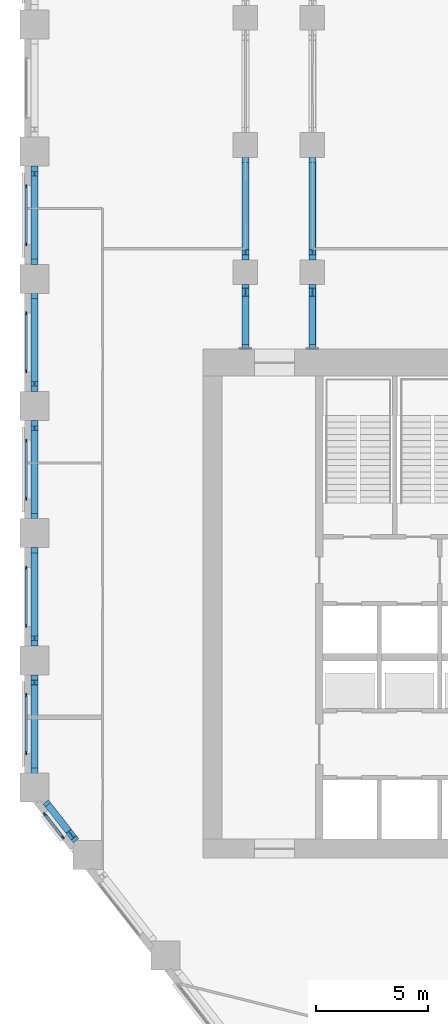
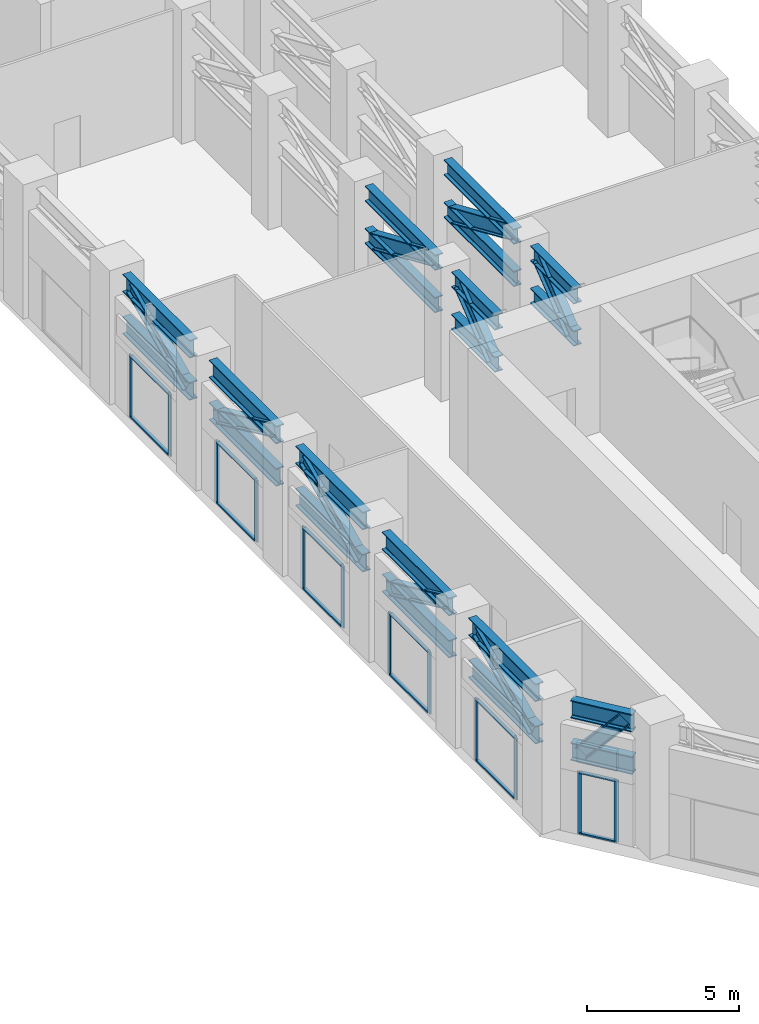
# One storey, part 6 of 21: 34 members, 20 beams, 6 elements without a shape of their own.
"""IFC4 building model written with IfcOpenShell, lengths in metres."""

from ifc_helpers import new_model, si_unit, direction, frame, origin, origin_2d, place, context, subcontext, project, spatial, rectangle, i_section, extrude, material, material_profile, profile_set, type_object, element, aggregate, save


model = new_model("IFC4")

# Units and contexts
model_context = context("Model", 3, precision=1e-05, world=origin(), true_north=direction((0.0, 1.0)))
body_context = subcontext(model_context, "Body", "Model", "MODEL_VIEW")
ifc_project = project(units=[si_unit("LENGTHUNIT", "METRE"), si_unit("AREAUNIT", "SQUARE_METRE"), si_unit("VOLUMEUNIT", "CUBIC_METRE"), si_unit("PLANEANGLEUNIT", "RADIAN"), si_unit("MASSUNIT", "GRAM", prefix="KILO")], contexts=[model_context])

# Site, building, storey
site_placement = place(None, origin())
site = spatial("IfcSite", under=ifc_project, at=site_placement, CompositionType="ELEMENT")
building_placement = place(site_placement, origin())
building = spatial("IfcBuilding", under=site, at=building_placement, Name="Meshkara Civic Tower", CompositionType="ELEMENT")
storey_placement = place(building_placement, frame((0.0, 0.0, 156.0)))
storey = spatial("IfcBuildingStorey", under=building, at=storey_placement, Name="L35", CompositionType="ELEMENT", Elevation=156.0)

# Beams
ifc_material_1 = material(Name="Steel S355", Category="steel")
ifc_material_profile_1 = material_profile(ifc_material_1, i_section(OverallWidth=0.303955078125, OverallDepth=0.716064453125, WebThickness=0.02099609375, FlangeThickness=0.0400390625, FilletRadius=0.027099609375, at=origin_2d()))
ifc_profile_set_1 = profile_set([ifc_material_profile_1], Name="Steel S355")
beam_type_1 = type_object("IfcBeamType", Name="Belt truss chord HEM 700 S355", PredefinedType="BEAM", material=ifc_profile_set_1)
for number, where, z_axis, x_axis, name in (
    (1, (0.449951171875, 45.110107421875, 4.741943359375), (0.0, -1.0, 0.0), (1.0, 0.0, 0.0), "Belt truss chord BAW05-AW04"),
    (2, (0.449951171875, 45.110107421875, 3.0419921875), (0.0, -1.0, 0.0), (1.0, 0.0, 0.0), "Belt truss chord BAW05-AW04"),
):
    element("IfcBeam", number, at=place(storey_placement, frame(where, z_axis=z_axis, x_axis=x_axis)), inside=storey, type_object=beam_type_1, Name=name, PredefinedType="BEAM", context=body_context, shape_type="SweptSolid", body=[
        extrude(i_section(OverallWidth=0.303955078125, OverallDepth=0.716064453125, WebThickness=0.02099609375, FlangeThickness=0.0400390625, FilletRadius=0.027099609375, at=origin_2d()), origin(), (0.0, 0.0, 1.0), 4.41015625),
    ])
for number, where, z_axis, x_axis, name in (
    (3, (0.449951171875, 39.409912109375, 4.741943359375), (0.0, -1.0, 0.0), (1.0, 0.0, 0.0), "Belt truss chord BAW04-AW03"),
    (4, (0.449951171875, 39.409912109375, 3.0419921875), (0.0, -1.0, 0.0), (1.0, 0.0, 0.0), "Belt truss chord BAW04-AW03"),
    (5, (0.449951171875, 33.7099609375, 4.741943359375), (0.0, -1.0, 0.0), (1.0, 0.0, 0.0), "Belt truss chord BAW03-AW02"),
    (6, (0.449951171875, 33.7099609375, 3.0419921875), (0.0, -1.0, 0.0), (1.0, 0.0, 0.0), "Belt truss chord BAW03-AW02"),
    (7, (0.449951171875, 28.010009765625, 4.741943359375), (0.0, -1.0, 0.0), (1.0, 0.0, 0.0), "Belt truss chord BAW02-AW01"),
    (8, (0.449951171875, 28.010009765625, 3.0419921875), (0.0, -1.0, 0.0), (1.0, 0.0, 0.0), "Belt truss chord BAW02-AW01"),
):
    element("IfcBeam", number, at=place(storey_placement, frame(where, z_axis=z_axis, x_axis=x_axis)), inside=storey, type_object=beam_type_1, Name=name, PredefinedType="BEAM", context=body_context, shape_type="SweptSolid", body=[
        extrude(i_section(OverallWidth=0.303955078125, OverallDepth=0.716064453125, WebThickness=0.02099609375, FlangeThickness=0.0400390625, FilletRadius=0.027099609375, at=origin_2d()), origin(), (0.0, 0.0, 1.0), 4.409912109375),
    ])
for number, where, z_axis, x_axis, name in (
    (9, (0.449951171875, 22.31005859375, 4.741943359375), (0.0, -1.0, 0.0), (1.0, 0.0, 0.0), "Belt truss chord BAW01-AW00"),
    (10, (0.449951171875, 22.31005859375, 3.0419921875), (0.0, -1.0, 0.0), (1.0, 0.0, 0.0), "Belt truss chord BAW01-AW00"),
):
    element("IfcBeam", number, at=place(storey_placement, frame(where, z_axis=z_axis, x_axis=x_axis)), inside=storey, type_object=beam_type_1, Name=name, PredefinedType="BEAM", context=body_context, shape_type="SweptSolid", body=[
        extrude(i_section(OverallWidth=0.303955078125, OverallDepth=0.716064453125, WebThickness=0.02099609375, FlangeThickness=0.0400390625, FilletRadius=0.027099609375, at=origin_2d()), origin(), (0.0, 0.0, 1.0), 4.41015625),
    ])
for number, where, z_axis, x_axis, name in (
    (11, (0.95458984375, 16.60888671875, 4.741943359375), (0.61568279769, -0.787994094286, 0.0), (0.787994094286, 0.61568279769, 0.0), "Belt truss chord BAW00-BOW04"),
    (12, (0.95458984375, 16.60888671875, 3.0419921875), (0.61568279769, -0.787994094286, 0.0), (0.787994094286, 0.61568279769, 0.0), "Belt truss chord BAW00-BOW04"),
):
    element("IfcBeam", number, at=place(storey_placement, frame(where, z_axis=z_axis, x_axis=x_axis)), inside=storey, type_object=beam_type_1, Name=name, PredefinedType="BEAM", context=body_context, shape_type="SweptSolid", body=[
        extrude(i_section(OverallWidth=0.303955078125, OverallDepth=0.716064453125, WebThickness=0.02099609375, FlangeThickness=0.0400390625, FilletRadius=0.027099609375, at=origin_2d()), origin(), (0.0, 0.0, 1.0), 2.200439453125),
    ])

# Curtain wall, members
ifc_material_2 = material(Name="Tinted double glazing", Category="glass")
curtain_wall_type = type_object("IfcCurtainWallType", Name="CW SKY LOBBY BAND", PredefinedType="NOTDEFINED", material=ifc_material_2)
curtain_wall_1_placement = place(storey_placement, origin())
curtain_wall_1 = element("IfcCurtainWall", 13, at=curtain_wall_1_placement, inside=storey, type_object=curtain_wall_type, Name="Curtain wall CW2", PredefinedType="NOTDEFINED")
ifc_material_3 = material(Name="Bronze anodised aluminium", Category="aluminium")
ifc_material_profile_2 = material_profile(ifc_material_3, rectangle(XDim=0.06005859375, YDim=0.159912109375, at=origin_2d()))
ifc_profile_set_2 = profile_set([ifc_material_profile_2], Name="Bronze anodised aluminium")
member_type_1 = type_object("IfcMemberType", Name="CW MULLION 60x160", PredefinedType="MULLION", material=ifc_profile_set_2)
member_1_placement = place(storey_placement, frame((0.080078125, 44.195068359375, 0.0), z_axis=(0.0, 0.0, 1.0), x_axis=(1.0, 0.0, 0.0)))
member_1 = element("IfcMember", 14, at=member_1_placement, type_object=member_type_1, Name="CW2 mullion 1", PredefinedType="MULLION", context=body_context, shape_type="SweptSolid", body=[
    extrude(rectangle(XDim=0.06005859375, YDim=0.159912109375, at=origin_2d()), origin(), (0.0, 0.0, 1.0), 2.5),
])
member_2_placement = place(storey_placement, frame((0.080078125, 41.614990234375, 0.0), z_axis=(0.0, 0.0, 1.0), x_axis=(1.0, 0.0, 0.0)))
member_2 = element("IfcMember", 15, at=member_2_placement, type_object=member_type_1, Name="CW2 mullion 2", PredefinedType="MULLION", context=body_context, shape_type="SweptSolid", body=[
    extrude(rectangle(XDim=0.06005859375, YDim=0.159912109375, at=origin_2d()), origin(), (0.0, 0.0, 1.0), 2.5),
])

curtain_wall_2_placement = place(storey_placement, origin())
curtain_wall_2 = element("IfcCurtainWall", 16, at=curtain_wall_2_placement, inside=storey, type_object=curtain_wall_type, Name="Curtain wall CW2", PredefinedType="NOTDEFINED")
member_3_placement = place(storey_placement, frame((0.080078125, 38.4951171875, 0.0), z_axis=(0.0, 0.0, 1.0), x_axis=(1.0, 0.0, 0.0)))
member_3 = element("IfcMember", 17, at=member_3_placement, type_object=member_type_1, Name="CW2 mullion 1", PredefinedType="MULLION", context=body_context, shape_type="SweptSolid", body=[
    extrude(rectangle(XDim=0.06005859375, YDim=0.159912109375, at=origin_2d()), origin(), (0.0, 0.0, 1.0), 2.5),
])
member_4_placement = place(storey_placement, frame((0.080078125, 35.916015625, 0.0), z_axis=(0.0, 0.0, 1.0), x_axis=(1.0, 0.0, 0.0)))
member_4 = element("IfcMember", 18, at=member_4_placement, type_object=member_type_1, Name="CW2 mullion 2", PredefinedType="MULLION", context=body_context, shape_type="SweptSolid", body=[
    extrude(rectangle(XDim=0.06005859375, YDim=0.159912109375, at=origin_2d()), origin(), (0.0, 0.0, 1.0), 2.5),
])

curtain_wall_3_placement = place(storey_placement, origin())
curtain_wall_3 = element("IfcCurtainWall", 19, at=curtain_wall_3_placement, inside=storey, type_object=curtain_wall_type, Name="Curtain wall CW2", PredefinedType="NOTDEFINED")
member_5_placement = place(storey_placement, frame((0.080078125, 32.7939453125, 0.0), z_axis=(0.0, 0.0, 1.0), x_axis=(1.0, 0.0, 0.0)))
member_5 = element("IfcMember", 20, at=member_5_placement, type_object=member_type_1, Name="CW2 mullion 1", PredefinedType="MULLION", context=body_context, shape_type="SweptSolid", body=[
    extrude(rectangle(XDim=0.06005859375, YDim=0.159912109375, at=origin_2d()), origin(), (0.0, 0.0, 1.0), 2.5),
])
member_6_placement = place(storey_placement, frame((0.080078125, 30.216064453125, 0.0), z_axis=(0.0, 0.0, 1.0), x_axis=(1.0, 0.0, 0.0)))
member_6 = element("IfcMember", 21, at=member_6_placement, type_object=member_type_1, Name="CW2 mullion 2", PredefinedType="MULLION", context=body_context, shape_type="SweptSolid", body=[
    extrude(rectangle(XDim=0.06005859375, YDim=0.159912109375, at=origin_2d()), origin(), (0.0, 0.0, 1.0), 2.5),
])

curtain_wall_4_placement = place(storey_placement, origin())
curtain_wall_4 = element("IfcCurtainWall", 22, at=curtain_wall_4_placement, inside=storey, type_object=curtain_wall_type, Name="Curtain wall CW2", PredefinedType="NOTDEFINED")
member_7_placement = place(storey_placement, frame((0.080078125, 27.093994140625, 0.0), z_axis=(0.0, 0.0, 1.0), x_axis=(1.0, 0.0, 0.0)))
member_7 = element("IfcMember", 23, at=member_7_placement, type_object=member_type_1, Name="CW2 mullion 1", PredefinedType="MULLION", context=body_context, shape_type="SweptSolid", body=[
    extrude(rectangle(XDim=0.06005859375, YDim=0.159912109375, at=origin_2d()), origin(), (0.0, 0.0, 1.0), 2.5),
])
member_8_placement = place(storey_placement, frame((0.080078125, 24.51611328125, 0.0), z_axis=(0.0, 0.0, 1.0), x_axis=(1.0, 0.0, 0.0)))
member_8 = element("IfcMember", 24, at=member_8_placement, type_object=member_type_1, Name="CW2 mullion 2", PredefinedType="MULLION", context=body_context, shape_type="SweptSolid", body=[
    extrude(rectangle(XDim=0.06005859375, YDim=0.159912109375, at=origin_2d()), origin(), (0.0, 0.0, 1.0), 2.5),
])

curtain_wall_5_placement = place(storey_placement, origin())
curtain_wall_5 = element("IfcCurtainWall", 25, at=curtain_wall_5_placement, inside=storey, type_object=curtain_wall_type, Name="Curtain wall CW2", PredefinedType="NOTDEFINED")
member_9_placement = place(storey_placement, frame((0.080078125, 21.39404296875, 0.0), z_axis=(0.0, 0.0, 1.0), x_axis=(1.0, 0.0, 0.0)))
member_9 = element("IfcMember", 26, at=member_9_placement, type_object=member_type_1, Name="CW2 mullion 1", PredefinedType="MULLION", context=body_context, shape_type="SweptSolid", body=[
    extrude(rectangle(XDim=0.06005859375, YDim=0.159912109375, at=origin_2d()), origin(), (0.0, 0.0, 1.0), 2.5),
])
member_10_placement = place(storey_placement, frame((0.080078125, 18.81494140625, 0.0), z_axis=(0.0, 0.0, 1.0), x_axis=(1.0, 0.0, 0.0)))
member_10 = element("IfcMember", 27, at=member_10_placement, type_object=member_type_1, Name="CW2 mullion 2", PredefinedType="MULLION", context=body_context, shape_type="SweptSolid", body=[
    extrude(rectangle(XDim=0.06005859375, YDim=0.159912109375, at=origin_2d()), origin(), (0.0, 0.0, 1.0), 2.5),
])

curtain_wall_6_placement = place(storey_placement, origin())
curtain_wall_6 = element("IfcCurtainWall", 28, at=curtain_wall_6_placement, inside=storey, type_object=curtain_wall_type, Name="Curtain wall CW2", PredefinedType="NOTDEFINED")
member_11_placement = place(storey_placement, frame((0.910400390625, 16.0654296875, 0.0), z_axis=(0.0, 0.0, 1.0), x_axis=(0.7882556183, 0.615347934276, 0.0)))
member_11 = element("IfcMember", 29, at=member_11_placement, type_object=member_type_1, Name="CW2 mullion 1", PredefinedType="MULLION", context=body_context, shape_type="SweptSolid", body=[
    extrude(rectangle(XDim=0.06005859375, YDim=0.159912109375, at=origin_2d()), origin(), (0.0, 0.0, 1.0), 2.5),
])
member_12_placement = place(storey_placement, frame((1.720458984375, 15.027587890625, 0.0), z_axis=(0.0, 0.0, 1.0), x_axis=(0.7882556183, 0.615347934276, 0.0)))
member_12 = element("IfcMember", 30, at=member_12_placement, type_object=member_type_1, Name="CW2 mullion 2", PredefinedType="MULLION", context=body_context, shape_type="SweptSolid", body=[
    extrude(rectangle(XDim=0.06005859375, YDim=0.159912109375, at=origin_2d()), origin(), (0.0, 0.0, 1.0), 2.5),
])

# Member
ifc_material_4 = material(Name="Bronze anodised aluminium", Category="aluminium")
ifc_material_profile_3 = material_profile(ifc_material_4, rectangle(XDim=0.1201171875, YDim=0.06005859375, at=origin_2d()))
ifc_profile_set_3 = profile_set([ifc_material_profile_3], Name="Bronze anodised aluminium")
member_type_2 = type_object("IfcMemberType", Name="CW TRANSOM 60x120", PredefinedType="USERDEFINED", material=ifc_profile_set_3)
member_13_placement = place(storey_placement, frame((0.080078125, 44.1650390625, 0.030029296875), z_axis=(0.0, -1.0, 0.0), x_axis=(1.0, 0.0, 0.0)))
member_13 = element("IfcMember", 31, at=member_13_placement, type_object=member_type_2, Name="CW2 transom 1.1", ObjectType="TRANSOM", PredefinedType="USERDEFINED", context=body_context, shape_type="SweptSolid", body=[
    extrude(rectangle(XDim=0.1201171875, YDim=0.06005859375, at=origin_2d()), origin(), (0.0, 0.0, 1.0), 2.52001953125),
])

member_14_placement = place(storey_placement, frame((0.080078125, 44.1650390625, 2.469970703125), z_axis=(0.0, -1.0, 0.0), x_axis=(1.0, 0.0, 0.0)))
member_14 = element("IfcMember", 32, at=member_14_placement, type_object=member_type_2, Name="CW2 transom 1.2", ObjectType="TRANSOM", PredefinedType="USERDEFINED", context=body_context, shape_type="SweptSolid", body=[
    extrude(rectangle(XDim=0.1201171875, YDim=0.06005859375, at=origin_2d()), origin(), (0.0, 0.0, 1.0), 2.52001953125),
])

aggregate(curtain_wall_1, [member_1, member_2, member_13, member_14])

member_15_placement = place(storey_placement, frame((0.080078125, 38.465087890625, 0.030029296875), z_axis=(0.0, -1.0, 0.0), x_axis=(1.0, 0.0, 0.0)))
member_15 = element("IfcMember", 33, at=member_15_placement, type_object=member_type_2, Name="CW2 transom 1.1", ObjectType="TRANSOM", PredefinedType="USERDEFINED", context=body_context, shape_type="SweptSolid", body=[
    extrude(rectangle(XDim=0.1201171875, YDim=0.06005859375, at=origin_2d()), origin(), (0.0, 0.0, 1.0), 2.51904296875),
])

member_16_placement = place(storey_placement, frame((0.080078125, 38.465087890625, 2.469970703125), z_axis=(0.0, -1.0, 0.0), x_axis=(1.0, 0.0, 0.0)))
member_16 = element("IfcMember", 34, at=member_16_placement, type_object=member_type_2, Name="CW2 transom 1.2", ObjectType="TRANSOM", PredefinedType="USERDEFINED", context=body_context, shape_type="SweptSolid", body=[
    extrude(rectangle(XDim=0.1201171875, YDim=0.06005859375, at=origin_2d()), origin(), (0.0, 0.0, 1.0), 2.51904296875),
])

aggregate(curtain_wall_2, [member_3, member_4, member_15, member_16])

member_17_placement = place(storey_placement, frame((0.080078125, 32.763916015625, 0.030029296875), z_axis=(0.0, -1.0, 0.0), x_axis=(1.0, 0.0, 0.0)))
member_17 = element("IfcMember", 35, at=member_17_placement, type_object=member_type_2, Name="CW2 transom 1.1", ObjectType="TRANSOM", PredefinedType="USERDEFINED", context=body_context, shape_type="SweptSolid", body=[
    extrude(rectangle(XDim=0.1201171875, YDim=0.06005859375, at=origin_2d()), origin(), (0.0, 0.0, 1.0), 2.517822265625),
])

member_18_placement = place(storey_placement, frame((0.080078125, 32.763916015625, 2.469970703125), z_axis=(0.0, -1.0, 0.0), x_axis=(1.0, 0.0, 0.0)))
member_18 = element("IfcMember", 36, at=member_18_placement, type_object=member_type_2, Name="CW2 transom 1.2", ObjectType="TRANSOM", PredefinedType="USERDEFINED", context=body_context, shape_type="SweptSolid", body=[
    extrude(rectangle(XDim=0.1201171875, YDim=0.06005859375, at=origin_2d()), origin(), (0.0, 0.0, 1.0), 2.517822265625),
])

aggregate(curtain_wall_3, [member_5, member_6, member_17, member_18])

member_19_placement = place(storey_placement, frame((0.080078125, 27.06396484375, 0.030029296875), z_axis=(0.0, -1.0, 0.0), x_axis=(1.0, 0.0, 0.0)))
member_19 = element("IfcMember", 37, at=member_19_placement, type_object=member_type_2, Name="CW2 transom 1.1", ObjectType="TRANSOM", PredefinedType="USERDEFINED", context=body_context, shape_type="SweptSolid", body=[
    extrude(rectangle(XDim=0.1201171875, YDim=0.06005859375, at=origin_2d()), origin(), (0.0, 0.0, 1.0), 2.51806640625),
])

member_20_placement = place(storey_placement, frame((0.080078125, 27.06396484375, 2.469970703125), z_axis=(0.0, -1.0, 0.0), x_axis=(1.0, 0.0, 0.0)))
member_20 = element("IfcMember", 38, at=member_20_placement, type_object=member_type_2, Name="CW2 transom 1.2", ObjectType="TRANSOM", PredefinedType="USERDEFINED", context=body_context, shape_type="SweptSolid", body=[
    extrude(rectangle(XDim=0.1201171875, YDim=0.06005859375, at=origin_2d()), origin(), (0.0, 0.0, 1.0), 2.51806640625),
])

aggregate(curtain_wall_4, [member_7, member_8, member_19, member_20])

member_21_placement = place(storey_placement, frame((0.080078125, 21.364013671875, 0.030029296875), z_axis=(0.0, -1.0, 0.0), x_axis=(1.0, 0.0, 0.0)))
member_21 = element("IfcMember", 39, at=member_21_placement, type_object=member_type_2, Name="CW2 transom 1.1", ObjectType="TRANSOM", PredefinedType="USERDEFINED", context=body_context, shape_type="SweptSolid", body=[
    extrude(rectangle(XDim=0.1201171875, YDim=0.06005859375, at=origin_2d()), origin(), (0.0, 0.0, 1.0), 2.51904296875),
])

member_22_placement = place(storey_placement, frame((0.080078125, 21.364013671875, 2.469970703125), z_axis=(0.0, -1.0, 0.0), x_axis=(1.0, 0.0, 0.0)))
member_22 = element("IfcMember", 40, at=member_22_placement, type_object=member_type_2, Name="CW2 transom 1.2", ObjectType="TRANSOM", PredefinedType="USERDEFINED", context=body_context, shape_type="SweptSolid", body=[
    extrude(rectangle(XDim=0.1201171875, YDim=0.06005859375, at=origin_2d()), origin(), (0.0, 0.0, 1.0), 2.51904296875),
])

aggregate(curtain_wall_5, [member_9, member_10, member_21, member_22])

member_23_placement = place(storey_placement, frame((0.928955078125, 16.041748046875, 0.030029296875), z_axis=(0.615338587722, -0.788262914553, 0.0), x_axis=(0.788262914553, 0.615338587722, 0.0)))
member_23 = element("IfcMember", 41, at=member_23_placement, type_object=member_type_2, Name="CW2 transom 1.1", ObjectType="TRANSOM", PredefinedType="USERDEFINED", context=body_context, shape_type="SweptSolid", body=[
    extrude(rectangle(XDim=0.1201171875, YDim=0.06005859375, at=origin_2d()), origin(), (0.0, 0.0, 1.0), 1.256591796875),
])

member_24_placement = place(storey_placement, frame((0.928955078125, 16.041748046875, 2.469970703125), z_axis=(0.615338587722, -0.788262914553, 0.0), x_axis=(0.788262914553, 0.615338587722, 0.0)))
member_24 = element("IfcMember", 42, at=member_24_placement, type_object=member_type_2, Name="CW2 transom 1.2", ObjectType="TRANSOM", PredefinedType="USERDEFINED", context=body_context, shape_type="SweptSolid", body=[
    extrude(rectangle(XDim=0.1201171875, YDim=0.06005859375, at=origin_2d()), origin(), (0.0, 0.0, 1.0), 1.256591796875),
])

aggregate(curtain_wall_6, [member_11, member_12, member_23, member_24])

# Beams
ifc_material_5 = material(Name="Steel S355", Category="steel")
ifc_material_profile_4 = material_profile(ifc_material_5, i_section(OverallWidth=0.304931640625, OverallDepth=0.6201171875, WebThickness=0.02099609375, FlangeThickness=0.0400390625, FilletRadius=0.027099609375, at=origin_2d()))
ifc_profile_set_4 = profile_set([ifc_material_profile_4], Name="Steel S355")
beam_type_2 = type_object("IfcBeamType", Name="Outrigger chord HEM 600 S355", PredefinedType="BEAM", material=ifc_profile_set_4)
for number, where, z_axis, x_axis, name in (
    (43, (9.89990234375, 36.93994140625, 4.7900390625), (0.0, 1.0, 0.0), (-1.0, 0.0, 0.0), "Outrigger chord OSA1-CORE-SA1-04"),
    (44, (9.89990234375, 36.93994140625, 3.090087890625), (0.0, 1.0, 0.0), (-1.0, 0.0, 0.0), "Outrigger chord OSA1-CORE-SA1-04"),
):
    element("IfcBeam", number, at=place(storey_placement, frame(where, z_axis=z_axis, x_axis=x_axis)), inside=storey, type_object=beam_type_2, Name=name, PredefinedType="BEAM", context=body_context, shape_type="SweptSolid", body=[
        extrude(i_section(OverallWidth=0.304931640625, OverallDepth=0.6201171875, WebThickness=0.02099609375, FlangeThickness=0.0400390625, FilletRadius=0.027099609375, at=origin_2d()), origin(), (0.0, 0.0, 1.0), 2.864990234375),
    ])
for number, where, z_axis, x_axis, name in (
    (45, (9.89990234375, 40.89501953125, 4.7900390625), (0.0, 1.0, 0.0), (-1.0, 0.0, 0.0), "Outrigger chord OSA1-SA1-04-SA1-05"),
    (46, (9.89990234375, 40.89501953125, 3.090087890625), (0.0, 1.0, 0.0), (-1.0, 0.0, 0.0), "Outrigger chord OSA1-SA1-04-SA1-05"),
):
    element("IfcBeam", number, at=place(storey_placement, frame(where, z_axis=z_axis, x_axis=x_axis)), inside=storey, type_object=beam_type_2, Name=name, PredefinedType="BEAM", context=body_context, shape_type="SweptSolid", body=[
        extrude(i_section(OverallWidth=0.304931640625, OverallDepth=0.6201171875, WebThickness=0.02099609375, FlangeThickness=0.0400390625, FilletRadius=0.027099609375, at=origin_2d()), origin(), (0.0, 0.0, 1.0), 4.60986328125),
    ])
for number, where, z_axis, x_axis, name in (
    (47, (12.89990234375, 36.93994140625, 4.7900390625), (0.0, 1.0, 0.0), (-1.0, 0.0, 0.0), "Outrigger chord OSA2-CORE-SA2-04"),
    (48, (12.89990234375, 36.93994140625, 3.090087890625), (0.0, 1.0, 0.0), (-1.0, 0.0, 0.0), "Outrigger chord OSA2-CORE-SA2-04"),
):
    element("IfcBeam", number, at=place(storey_placement, frame(where, z_axis=z_axis, x_axis=x_axis)), inside=storey, type_object=beam_type_2, Name=name, PredefinedType="BEAM", context=body_context, shape_type="SweptSolid", body=[
        extrude(i_section(OverallWidth=0.304931640625, OverallDepth=0.6201171875, WebThickness=0.02099609375, FlangeThickness=0.0400390625, FilletRadius=0.027099609375, at=origin_2d()), origin(), (0.0, 0.0, 1.0), 2.864990234375),
    ])
for number, where, z_axis, x_axis, name in (
    (49, (12.89990234375, 40.89501953125, 4.7900390625), (0.0, 1.0, 0.0), (-1.0, 0.0, 0.0), "Outrigger chord OSA2-SA2-04-SA2-05"),
    (50, (12.89990234375, 40.89501953125, 3.090087890625), (0.0, 1.0, 0.0), (-1.0, 0.0, 0.0), "Outrigger chord OSA2-SA2-04-SA2-05"),
):
    element("IfcBeam", number, at=place(storey_placement, frame(where, z_axis=z_axis, x_axis=x_axis)), inside=storey, type_object=beam_type_2, Name=name, PredefinedType="BEAM", context=body_context, shape_type="SweptSolid", body=[
        extrude(i_section(OverallWidth=0.304931640625, OverallDepth=0.6201171875, WebThickness=0.02099609375, FlangeThickness=0.0400390625, FilletRadius=0.027099609375, at=origin_2d()), origin(), (0.0, 0.0, 1.0), 4.60986328125),
    ])

# Members
ifc_material_6 = material(Name="Steel S355", Category="steel")
ifc_material_profile_5 = material_profile(ifc_material_6, i_section(OverallWidth=0.300048828125, OverallDepth=0.60009765625, WebThickness=0.015380859375, FlangeThickness=0.030029296875, FilletRadius=0.027099609375, at=origin_2d()))
ifc_profile_set_5 = profile_set([ifc_material_profile_5], Name="Steel S355")
member_type_3 = type_object("IfcMemberType", Name="Truss diagonal HEB 600 S355", PredefinedType="BRACE", material=ifc_profile_set_5)
member_25_placement = place(storey_placement, frame((9.89990234375, 37.2900390625, 3.090087890625), z_axis=(0.0, 0.786521420787, 0.617562996498), x_axis=(-1.0, 0.0, 0.0)))
element("IfcMember", 51, at=member_25_placement, inside=storey, type_object=member_type_3, Name="TD-OSA1-CORE-SA1-04-L35", PredefinedType="BRACE", context=body_context, shape_type="SweptSolid", body=[
    extrude(i_section(OverallWidth=0.300048828125, OverallDepth=0.60009765625, WebThickness=0.015380859375, FlangeThickness=0.030029296875, FilletRadius=0.027099609375, at=origin_2d()), origin(), (0.0, 0.0, 1.0), 2.752685546875),
])
member_26_placement = place(storey_placement, frame((9.89990234375, 41.2451171875, 4.7900390625), z_axis=(0.0, 0.917070966636, -0.398724017527), x_axis=(-1.0, 0.0, 0.0)))
element("IfcMember", 52, at=member_26_placement, inside=storey, type_object=member_type_3, Name="TD-OSA1-SA1-04-SA1-05-L35", PredefinedType="BRACE", context=body_context, shape_type="SweptSolid", body=[
    extrude(i_section(OverallWidth=0.300048828125, OverallDepth=0.60009765625, WebThickness=0.015380859375, FlangeThickness=0.030029296875, FilletRadius=0.027099609375, at=origin_2d()), origin(), (0.0, 0.0, 1.0), 4.263427734375),
])
member_27_placement = place(storey_placement, frame((12.89990234375, 37.2900390625, 3.090087890625), z_axis=(0.0, 0.786521420787, 0.617562996498), x_axis=(-1.0, 0.0, 0.0)))
element("IfcMember", 53, at=member_27_placement, inside=storey, type_object=member_type_3, Name="TD-OSA2-CORE-SA2-04-L35", PredefinedType="BRACE", context=body_context, shape_type="SweptSolid", body=[
    extrude(i_section(OverallWidth=0.300048828125, OverallDepth=0.60009765625, WebThickness=0.015380859375, FlangeThickness=0.030029296875, FilletRadius=0.027099609375, at=origin_2d()), origin(), (0.0, 0.0, 1.0), 2.752685546875),
])
member_28_placement = place(storey_placement, frame((12.89990234375, 41.2451171875, 4.7900390625), z_axis=(0.0, 0.917070966636, -0.398724017527), x_axis=(-1.0, 0.0, 0.0)))
element("IfcMember", 54, at=member_28_placement, inside=storey, type_object=member_type_3, Name="TD-OSA2-SA2-04-SA2-05-L35", PredefinedType="BRACE", context=body_context, shape_type="SweptSolid", body=[
    extrude(i_section(OverallWidth=0.300048828125, OverallDepth=0.60009765625, WebThickness=0.015380859375, FlangeThickness=0.030029296875, FilletRadius=0.027099609375, at=origin_2d()), origin(), (0.0, 0.0, 1.0), 4.263427734375),
])
ifc_material_7 = material(Name="Steel S355", Category="steel")
ifc_material_profile_6 = material_profile(ifc_material_7, i_section(OverallWidth=0.305908203125, OverallDepth=0.52392578125, WebThickness=0.02392578125, FlangeThickness=0.0400390625, FilletRadius=0.027099609375, at=origin_2d()))
ifc_profile_set_6 = profile_set([ifc_material_profile_6], Name="Steel S355")
member_type_4 = type_object("IfcMemberType", Name="Truss diagonal HEM 500 S355", PredefinedType="BRACE", material=ifc_profile_set_6)
for number, where, z_axis, x_axis, name in (
    (55, (0.449951171875, 44.760009765625, 4.741943359375), (0.0, -0.909106361389, -0.41656406912), (1.0, 0.0, 0.0), "TD-BAW05-AW04-L35"),
    (56, (0.449951171875, 39.06005859375, 3.0419921875), (0.0, -0.909106361389, 0.41656406912), (1.0, 0.0, 0.0), "TD-BAW04-AW03-L35"),
):
    element("IfcMember", number, at=place(storey_placement, frame(where, z_axis=z_axis, x_axis=x_axis)), inside=storey, type_object=member_type_4, Name=name, PredefinedType="BRACE", context=body_context, shape_type="SweptSolid", body=[
        extrude(i_section(OverallWidth=0.305908203125, OverallDepth=0.52392578125, WebThickness=0.02392578125, FlangeThickness=0.0400390625, FilletRadius=0.027099609375, at=origin_2d()), origin(), (0.0, 0.0, 1.0), 4.080810546875),
    ])
member_29_placement = place(storey_placement, frame((0.449951171875, 33.360107421875, 4.741943359375), z_axis=(0.0, -0.909116741777, -0.416541414292), x_axis=(1.0, 0.0, 0.0)))
element("IfcMember", 57, at=member_29_placement, inside=storey, type_object=member_type_4, Name="TD-BAW03-AW02-L35", PredefinedType="BRACE", context=body_context, shape_type="SweptSolid", body=[
    extrude(i_section(OverallWidth=0.305908203125, OverallDepth=0.52392578125, WebThickness=0.02392578125, FlangeThickness=0.0400390625, FilletRadius=0.027099609375, at=origin_2d()), origin(), (0.0, 0.0, 1.0), 4.0810546875),
])
for number, where, z_axis, x_axis, name in (
    (58, (0.449951171875, 27.659912109375, 3.0419921875), (0.0, -0.909106361389, 0.41656406912), (1.0, 0.0, 0.0), "TD-BAW02-AW01-L35"),
    (59, (0.449951171875, 21.9599609375, 4.741943359375), (0.0, -0.909106361389, -0.41656406912), (1.0, 0.0, 0.0), "TD-BAW01-AW00-L35"),
):
    element("IfcMember", number, at=place(storey_placement, frame(where, z_axis=z_axis, x_axis=x_axis)), inside=storey, type_object=member_type_4, Name=name, PredefinedType="BRACE", context=body_context, shape_type="SweptSolid", body=[
        extrude(i_section(OverallWidth=0.305908203125, OverallDepth=0.52392578125, WebThickness=0.02392578125, FlangeThickness=0.0400390625, FilletRadius=0.027099609375, at=origin_2d()), origin(), (0.0, 0.0, 1.0), 4.080810546875),
    ])
member_30_placement = place(storey_placement, frame((1.170166015625, 16.3330078125, 3.0419921875), z_axis=(0.407364728177, -0.52140100815, 0.749796617049), x_axis=(0.788009569557, 0.615662990837, 0.0)))
element("IfcMember", 60, at=member_30_placement, inside=storey, type_object=member_type_4, Name="TD-BAW00-BOW04-L35", PredefinedType="BRACE", context=body_context, shape_type="SweptSolid", body=[
    extrude(i_section(OverallWidth=0.305908203125, OverallDepth=0.52392578125, WebThickness=0.02392578125, FlangeThickness=0.0400390625, FilletRadius=0.027099609375, at=origin_2d()), origin(), (0.0, 0.0, 1.0), 2.267333984375),
])

save(model, "model.ifc")
